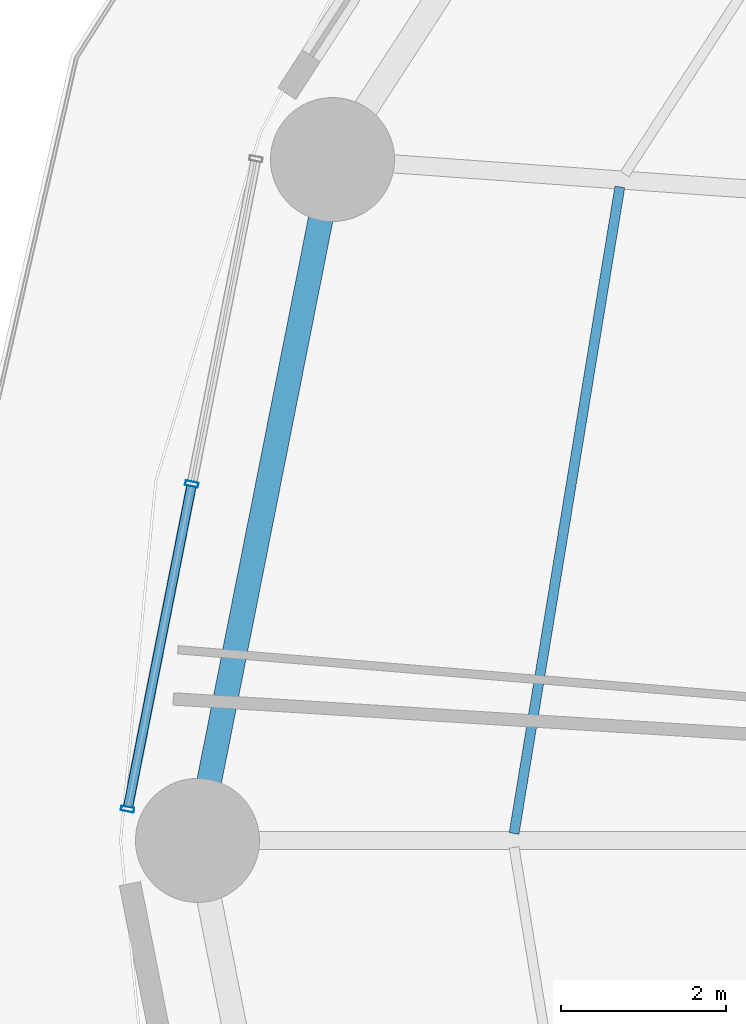
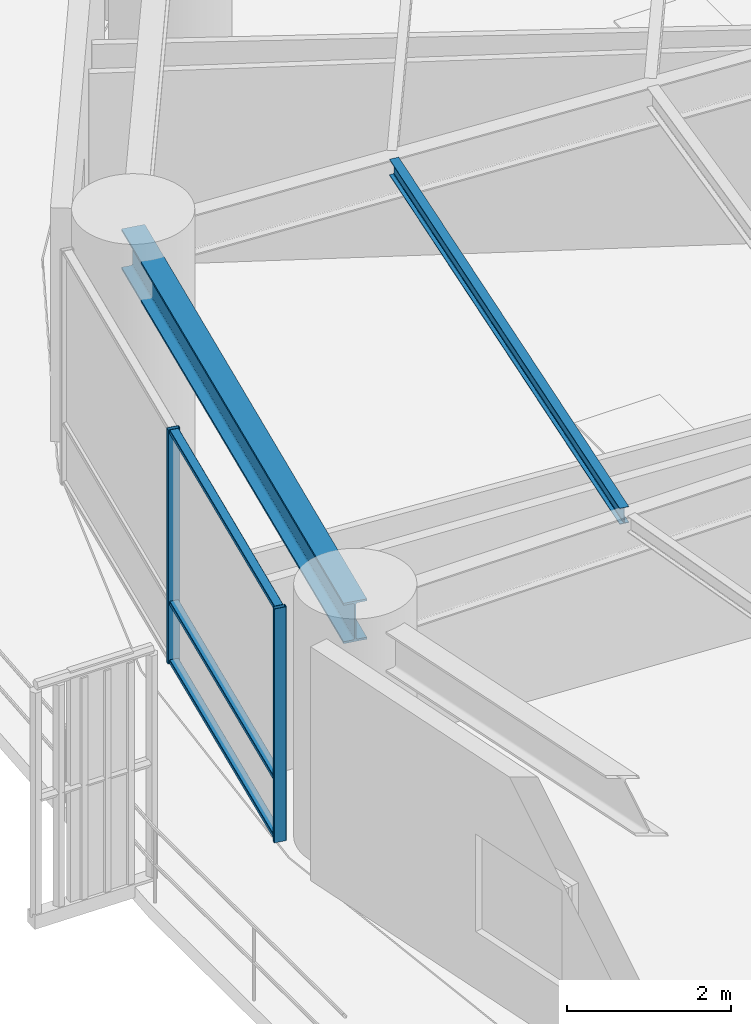
# One storey, part 6 of 31: 5 members, 2 beams, 1 element without a shape of its own.
"""IFC4 building model written with IfcOpenShell, lengths in metres."""

from ifc_helpers import new_model, si_unit, direction, frame, origin, origin_2d, place, context, subcontext, project, spatial, hollow_rectangle, i_section, extrude, material, layer, layer_set, material_profile, profile_set, type_object, element, aggregate, save


model = new_model("IFC4")

# Units and contexts
model_context = context("Model", 3, precision=1e-05, world=origin(), true_north=direction((0.0, 1.0)))
body_context = subcontext(model_context, "Body", "Model", "MODEL_VIEW")
ifc_project = project(units=[si_unit("LENGTHUNIT", "METRE"), si_unit("AREAUNIT", "SQUARE_METRE"), si_unit("VOLUMEUNIT", "CUBIC_METRE"), si_unit("PLANEANGLEUNIT", "RADIAN"), si_unit("MASSUNIT", "GRAM", prefix="KILO")], contexts=[model_context])

# Site, building, storey
site_placement = place(None, origin())
site = spatial("IfcSite", under=ifc_project, at=site_placement, CompositionType="ELEMENT")
building_placement = place(site_placement, origin())
building = spatial("IfcBuilding", under=site, at=building_placement, Name="Kelanora Arch Commons", CompositionType="ELEMENT")
storey_placement = place(building_placement, frame((0.0, 0.0, 63.75)))
storey = spatial("IfcBuildingStorey", under=building, at=storey_placement, Name="L16", CompositionType="ELEMENT", Elevation=63.75)

# Beams
ifc_material_1 = material(Name="Steel S355", Category="steel")
ifc_material_profile_1 = material_profile(ifc_material_1, i_section(OverallWidth=0.1201171875, OverallDepth=0.239990234375, WebThickness=0.006103515625, FlangeThickness=0.009765625, FilletRadius=0.014892578125, at=origin_2d()), Name="IPE240")
ifc_profile_set_1 = profile_set([ifc_material_profile_1], Name="Steel S355")
beam_type_1 = type_object("IfcBeamType", Name="BM-JST-02", PredefinedType="JOIST", material=ifc_profile_set_1)
beam_1_placement = place(storey_placement, frame((52.02880859375, 65.90478515625, 3.3701171875), z_axis=(-0.161400737199, -0.986888951216, 0.0), x_axis=(0.986888951216, -0.161400737199, 0.0)))
element("IfcBeam", 1, at=beam_1_placement, inside=storey, type_object=beam_type_1, Name="Secondary Chord Joist BJC-16 L16", PredefinedType="JOIST", context=body_context, shape_type="SweptSolid", body=[
    extrude(i_section(OverallWidth=0.1201171875, OverallDepth=0.239990234375, WebThickness=0.006103515625, FlangeThickness=0.009765625, FilletRadius=0.014892578125, at=origin_2d()), origin(), (0.0, 0.0, 1.0), 7.9248046875),
])
ifc_material_profile_2 = material_profile(ifc_material_1, i_section(OverallWidth=0.300048828125, OverallDepth=0.60009765625, WebThickness=0.015380859375, FlangeThickness=0.030029296875, FilletRadius=0.027099609375, at=origin_2d()), Name="HEB600")
ifc_profile_set_2 = profile_set([ifc_material_profile_2], Name="Steel S355")
beam_type_2 = type_object("IfcBeamType", Name="BM-SPN-Z1", PredefinedType="SPANDREL", material=ifc_profile_set_2)
beam_2_placement = place(storey_placement, frame((48.552978515625, 66.23583984375, 3.18994140625), z_axis=(-0.194499827256, -0.980902552345, 0.0), x_axis=(0.980902552345, -0.194499827256, 0.0)))
element("IfcBeam", 2, at=beam_2_placement, inside=storey, type_object=beam_type_2, Name="Perimeter Spandrel Beam BS-16 L16", PredefinedType="SPANDREL", context=body_context, shape_type="SweptSolid", body=[
    extrude(i_section(OverallWidth=0.300048828125, OverallDepth=0.60009765625, WebThickness=0.015380859375, FlangeThickness=0.030029296875, FilletRadius=0.027099609375, at=origin_2d()), origin(), (0.0, 0.0, 1.0), 8.396240234375),
])

# Curtain wall, members
ifc_material_2 = material(Name="Terracotta ceramic-fritted low-E glass and aluminium", Category="masonry")
ifc_layer = layer(ifc_material_2, 0.159912109375)
ifc_layer_set = layer_set([ifc_layer], Name="Terracotta ceramic-fritted low-E glass and aluminium")
curtain_wall_type = type_object("IfcCurtainWallType", Name="CW-SYS-01", PredefinedType="NOTDEFINED", material=ifc_layer_set)
curtain_wall_placement = place(storey_placement, origin())
curtain_wall = element("IfcCurtainWall", 3, at=curtain_wall_placement, inside=storey, type_object=curtain_wall_type, Name="Unitised Curtain Wall L16-B08", PredefinedType="NOTDEFINED")
ifc_material_3 = material(Name="Powder-coated aluminium terracotta", Category="masonry")
ifc_material_profile_3 = material_profile(ifc_material_3, hollow_rectangle(XDim=0.159912109375, YDim=0.06005859375, WallThickness=0.0048828125, InnerFilletRadius=0.0048828125, OuterFilletRadius=0.010009765625, at=origin_2d()), Name="CWM160x60")
ifc_profile_set_3 = profile_set([ifc_material_profile_3], Name="Powder-coated aluminium terracotta")
member_type_1 = type_object("IfcMemberType", Name="CWM-STD", PredefinedType="MULLION", material=ifc_profile_set_3)
member_1_placement = place(storey_placement, frame((46.8515625, 62.3115234375, 0.0), z_axis=(0.0, 0.0, 1.0), x_axis=(0.981052110579, -0.193744048498, 0.0)))
member_1 = element("IfcMember", 4, at=member_1_placement, type_object=member_type_1, Name="CW-01 mullion 2", PredefinedType="MULLION", context=body_context, shape_type="SweptSolid", body=[
    extrude(hollow_rectangle(XDim=0.159912109375, YDim=0.06005859375, WallThickness=0.0048828125, InnerFilletRadius=0.0048828125, OuterFilletRadius=0.010009765625, at=origin_2d()), origin(), (0.0, 0.0, 1.0), 3.47509765625),
])
member_2_placement = place(storey_placement, frame((46.074951171875, 58.379150390625, 0.0), z_axis=(0.0, 0.0, 1.0), x_axis=(0.981052110579, -0.193744048498, 0.0)))
member_2 = element("IfcMember", 5, at=member_2_placement, type_object=member_type_1, Name="CW-01 mullion 3", PredefinedType="MULLION", context=body_context, shape_type="SweptSolid", body=[
    extrude(hollow_rectangle(XDim=0.159912109375, YDim=0.06005859375, WallThickness=0.0048828125, InnerFilletRadius=0.0048828125, OuterFilletRadius=0.010009765625, at=origin_2d()), origin(), (0.0, 0.0, 1.0), 3.47509765625),
])
ifc_material_profile_4 = material_profile(ifc_material_3, hollow_rectangle(XDim=0.1201171875, YDim=0.06005859375, WallThickness=0.0048828125, InnerFilletRadius=0.0048828125, OuterFilletRadius=0.010009765625, at=origin_2d()), Name="CWT120x60")
ifc_profile_set_4 = profile_set([ifc_material_profile_4], Name="Powder-coated aluminium terracotta")
member_type_2 = type_object("IfcMemberType", Name="CWT-STD", PredefinedType="USERDEFINED", material=ifc_profile_set_4)
member_3_placement = place(storey_placement, frame((46.845703125, 62.281982421875, 0.030029296875), z_axis=(-0.193725436624, -0.98105578598, 0.0), x_axis=(0.98105578598, -0.193725436624, 0.0)))
member_3 = element("IfcMember", 6, at=member_3_placement, type_object=member_type_2, Name="CW-01 transom 2.1", ObjectType="TRANSOM", PredefinedType="USERDEFINED", context=body_context, shape_type="SweptSolid", body=[
    extrude(hollow_rectangle(XDim=0.1201171875, YDim=0.06005859375, WallThickness=0.0048828125, InnerFilletRadius=0.0048828125, OuterFilletRadius=0.010009765625, at=origin_2d()), origin(), (0.0, 0.0, 1.0), 3.9482421875),
])
member_4_placement = place(storey_placement, frame((46.845703125, 62.281982421875, 0.89990234375), z_axis=(-0.193725436624, -0.98105578598, 0.0), x_axis=(0.98105578598, -0.193725436624, 0.0)))
member_4 = element("IfcMember", 7, at=member_4_placement, type_object=member_type_2, Name="CW-01 transom 2.2", ObjectType="TRANSOM", PredefinedType="USERDEFINED", context=body_context, shape_type="SweptSolid", body=[
    extrude(hollow_rectangle(XDim=0.1201171875, YDim=0.06005859375, WallThickness=0.0048828125, InnerFilletRadius=0.0048828125, OuterFilletRadius=0.010009765625, at=origin_2d()), origin(), (0.0, 0.0, 1.0), 3.9482421875),
])
member_5_placement = place(storey_placement, frame((46.845703125, 62.281982421875, 3.445068359375), z_axis=(-0.193725436624, -0.98105578598, 0.0), x_axis=(0.98105578598, -0.193725436624, 0.0)))
member_5 = element("IfcMember", 8, at=member_5_placement, type_object=member_type_2, Name="CW-01 transom 2.3", ObjectType="TRANSOM", PredefinedType="USERDEFINED", context=body_context, shape_type="SweptSolid", body=[
    extrude(hollow_rectangle(XDim=0.1201171875, YDim=0.06005859375, WallThickness=0.0048828125, InnerFilletRadius=0.0048828125, OuterFilletRadius=0.010009765625, at=origin_2d()), origin(), (0.0, 0.0, 1.0), 3.9482421875),
])
aggregate(curtain_wall, [member_1, member_2, member_3, member_4, member_5])

save(model, "model.ifc")
